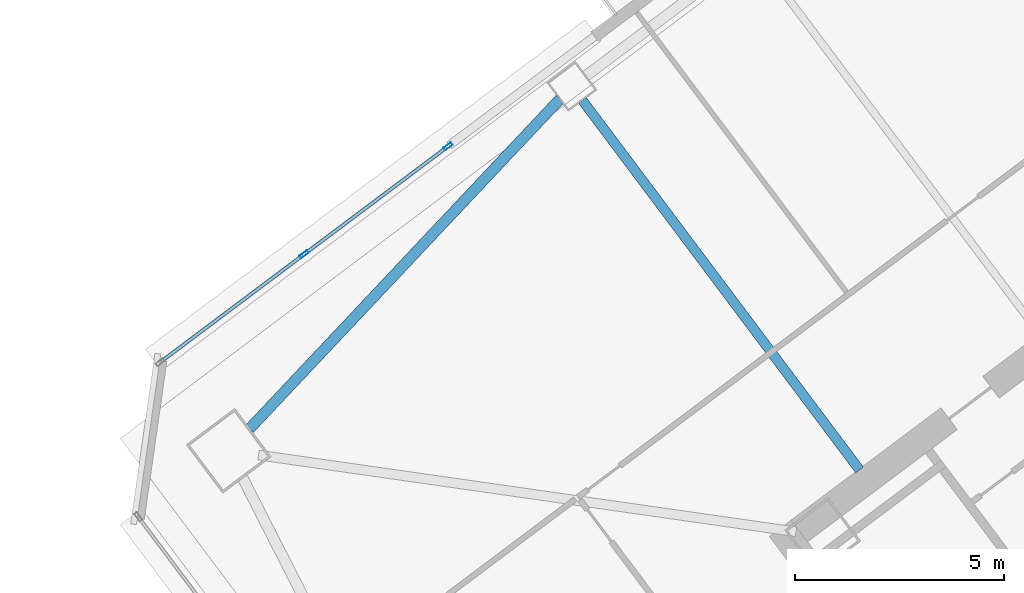
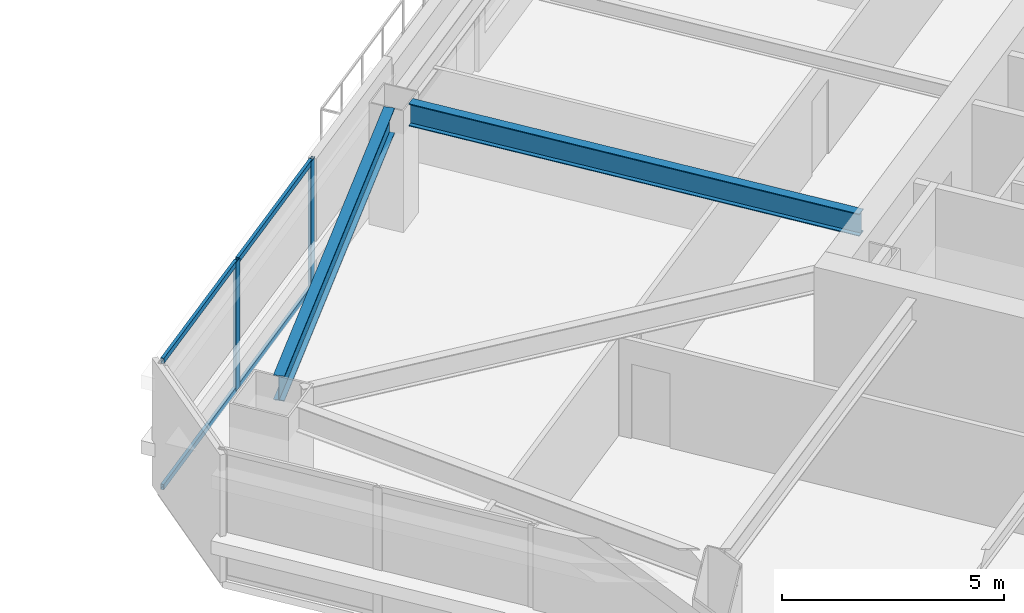
# One storey, part 26 of 44: 6 members, 2 beams, 1 element without a shape of its own.
"""IFC4 building model written with IfcOpenShell, lengths in metres."""

from ifc_helpers import new_model, si_unit, direction, frame, origin, origin_2d, place, context, subcontext, project, spatial, hollow_rectangle, i_section, extrude, material, material_profile, profile_set, type_object, element, aggregate, save


model = new_model("IFC4")

# Units and contexts
model_context = context("Model", 3, precision=1e-05, world=origin(), true_north=direction((0.0, 1.0)))
body_context = subcontext(model_context, "Body", "Model", "MODEL_VIEW")
ifc_project = project(units=[si_unit("LENGTHUNIT", "METRE"), si_unit("AREAUNIT", "SQUARE_METRE"), si_unit("VOLUMEUNIT", "CUBIC_METRE"), si_unit("PLANEANGLEUNIT", "RADIAN"), si_unit("MASSUNIT", "GRAM", prefix="KILO")], contexts=[model_context])

# Site, building, storey
site_placement = place(None, origin())
site = spatial("IfcSite", under=ifc_project, at=site_placement, CompositionType="ELEMENT")
building_placement = place(site_placement, origin())
building = spatial("IfcBuilding", under=site, at=building_placement, Name="Tashvorn Skyway Center", CompositionType="ELEMENT")
storey_placement = place(building_placement, frame((0.0, 0.0, 95.60009765625)))
storey = spatial("IfcBuildingStorey", under=building, at=storey_placement, Name="L25", CompositionType="ELEMENT", Elevation=95.60009765625)

# Beams
ifc_material_1 = material(Name="Steel ASTM A992 Grade 50", Category="steel")
ifc_material_profile_1 = material_profile(ifc_material_1, i_section(OverallWidth=0.22998046875, OverallDepth=0.616943359375, WebThickness=0.01318359375, FlangeThickness=0.022216796875, at=origin_2d()), Name="W24X94")
ifc_profile_set_1 = profile_set([ifc_material_profile_1], Name="Steel ASTM A992 Grade 50")
beam_type_1 = type_object("IfcBeamType", Name="BM-BEAM-W24X94", PredefinedType="BEAM", material=ifc_profile_set_1)
beam_1_placement = place(storey_placement, frame((98.382080078125, 43.823974609375, 3.04150390625), z_axis=(0.599989394744, -0.800007953832, 0.0), x_axis=(0.800007953832, 0.599989394744, 0.0)))
element("IfcBeam", 1, at=beam_1_placement, inside=storey, type_object=beam_type_1, Name="Tower 2 L25 Primary Floor Girder FC-N2", PredefinedType="BEAM", context=body_context, shape_type="SweptSolid", body=[
    extrude(i_section(OverallWidth=0.22998046875, OverallDepth=0.616943359375, WebThickness=0.01318359375, FlangeThickness=0.022216796875, at=origin_2d()), origin(), (0.0, 0.0, 1.0), 11.050048828125),
])
ifc_material_profile_2 = material_profile(ifc_material_1, i_section(OverallWidth=0.256103515625, OverallDepth=0.693115234375, WebThickness=0.014404296875, FlangeThickness=0.023681640625, at=origin_2d()), Name="W27X114")
ifc_profile_set_2 = profile_set([ifc_material_profile_2], Name="Steel ASTM A992 Grade 50")
beam_type_2 = type_object("IfcBeamType", Name="BM-SPANDREL-W27X114", PredefinedType="SPANDREL", material=ifc_profile_set_2)
beam_2_placement = place(storey_placement, frame((97.842041015625, 43.854248046875, 3.00341796875), z_axis=(-0.685484857238, -0.728086883893, 0.0), x_axis=(0.728086883893, -0.685484857238, 0.0)))
element("IfcBeam", 2, at=beam_2_placement, inside=storey, type_object=beam_type_2, Name="Tower 2 L25 Spandrel Beam 09", PredefinedType="SPANDREL", context=body_context, shape_type="SweptSolid", body=[
    extrude(i_section(OverallWidth=0.256103515625, OverallDepth=0.693115234375, WebThickness=0.014404296875, FlangeThickness=0.023681640625, at=origin_2d()), origin(), (0.0, 0.0, 1.0), 10.8369140625),
])

# Curtain wall, members
ifc_material_2 = material(Name="Thermally broken bronze-anodized aluminium 6063-T6", Category="aluminium")
curtain_wall_type = type_object("IfcCurtainWallType", Name="CW-CW-Z2", PredefinedType="NOTDEFINED", material=ifc_material_2)
curtain_wall_placement = place(storey_placement, origin())
curtain_wall = element("IfcCurtainWall", 3, at=curtain_wall_placement, inside=storey, type_object=curtain_wall_type, Name="Tower 2 L25 North Curtain Wall L Glazing Group 1", PredefinedType="NOTDEFINED")
ifc_material_profile_3 = material_profile(ifc_material_2, hollow_rectangle(XDim=0.080078125, YDim=0.219970703125, WallThickness=0.0048828125, at=origin_2d()), Name="ALU-MULL-80x220")
ifc_profile_set_3 = profile_set([ifc_material_profile_3], Name="Thermally broken bronze-anodized aluminium 6063-T6")
member_type_1 = type_object("IfcMemberType", Name="CWM-CW-Z2", PredefinedType="MULLION", material=ifc_profile_set_3)
member_1_placement = place(storey_placement, frame((91.72265625, 40.14208984375, 0.0), z_axis=(0.0, 0.0, 1.0), x_axis=(-0.600001841909, 0.799998618565, 0.0)))
member_1 = element("IfcMember", 4, at=member_1_placement, type_object=member_type_1, Name="CW-Z2 mullion 2", PredefinedType="MULLION", context=body_context, shape_type="SweptSolid", body=[
    extrude(hollow_rectangle(XDim=0.080078125, YDim=0.219970703125, WallThickness=0.0048828125, at=origin_2d()), origin(), (0.0, 0.0, 1.0), 3.5498046875),
])
member_2_placement = place(storey_placement, frame((95.165283203125, 42.72412109375, 0.0), z_axis=(0.0, 0.0, 1.0), x_axis=(-0.600001841909, 0.799998618565, 0.0)))
member_2 = element("IfcMember", 5, at=member_2_placement, type_object=member_type_1, Name="CW-Z2 mullion 3", PredefinedType="MULLION", context=body_context, shape_type="SweptSolid", body=[
    extrude(hollow_rectangle(XDim=0.080078125, YDim=0.219970703125, WallThickness=0.0048828125, at=origin_2d()), origin(), (0.0, 0.0, 1.0), 3.5498046875),
])
ifc_material_profile_4 = material_profile(ifc_material_2, hollow_rectangle(XDim=0.080078125, YDim=0.14990234375, WallThickness=0.00439453125, at=origin_2d()), Name="ALU-TRAN-80x150")
ifc_profile_set_4 = profile_set([ifc_material_profile_4], Name="Thermally broken bronze-anodized aluminium 6063-T6")
member_type_2 = type_object("IfcMemberType", Name="CWT-CW-Z2", PredefinedType="USERDEFINED", material=ifc_profile_set_4)
member_3_placement = place(storey_placement, frame((88.31201171875, 37.583984375, 0.039794921875), z_axis=(0.800006936924, 0.599990750656, 0.0), x_axis=(-0.599990750656, 0.800006936924, 0.0)))
member_3 = element("IfcMember", 6, at=member_3_placement, type_object=member_type_2, Name="CW-Z2 transom 1.1", ObjectType="TRANSOM", PredefinedType="USERDEFINED", context=body_context, shape_type="SweptSolid", body=[
    extrude(hollow_rectangle(XDim=0.080078125, YDim=0.14990234375, WallThickness=0.00439453125, at=origin_2d()), origin(), (0.0, 0.0, 1.0), 4.223388671875),
])
member_4_placement = place(storey_placement, frame((88.31201171875, 37.583984375, 3.510009765625), z_axis=(0.800006936924, 0.599990750656, 0.0), x_axis=(-0.599990750656, 0.800006936924, 0.0)))
member_4 = element("IfcMember", 7, at=member_4_placement, type_object=member_type_2, Name="CW-Z2 transom 1.2", ObjectType="TRANSOM", PredefinedType="USERDEFINED", context=body_context, shape_type="SweptSolid", body=[
    extrude(hollow_rectangle(XDim=0.080078125, YDim=0.14990234375, WallThickness=0.00439453125, at=origin_2d()), origin(), (0.0, 0.0, 1.0), 4.223388671875),
])
member_5_placement = place(storey_placement, frame((91.754638671875, 40.166015625, 0.039794921875), z_axis=(0.800006936924, 0.599990750656, 0.0), x_axis=(-0.599990750656, 0.800006936924, 0.0)))
member_5 = element("IfcMember", 8, at=member_5_placement, type_object=member_type_2, Name="CW-Z2 transom 2.1", ObjectType="TRANSOM", PredefinedType="USERDEFINED", context=body_context, shape_type="SweptSolid", body=[
    extrude(hollow_rectangle(XDim=0.080078125, YDim=0.14990234375, WallThickness=0.00439453125, at=origin_2d()), origin(), (0.0, 0.0, 1.0), 4.223388671875),
])
member_6_placement = place(storey_placement, frame((91.754638671875, 40.166015625, 3.510009765625), z_axis=(0.800006936924, 0.599990750656, 0.0), x_axis=(-0.599990750656, 0.800006936924, 0.0)))
member_6 = element("IfcMember", 9, at=member_6_placement, type_object=member_type_2, Name="CW-Z2 transom 2.2", ObjectType="TRANSOM", PredefinedType="USERDEFINED", context=body_context, shape_type="SweptSolid", body=[
    extrude(hollow_rectangle(XDim=0.080078125, YDim=0.14990234375, WallThickness=0.00439453125, at=origin_2d()), origin(), (0.0, 0.0, 1.0), 4.223388671875),
])
aggregate(curtain_wall, [member_1, member_2, member_3, member_4, member_5, member_6])

save(model, "model.ifc")
